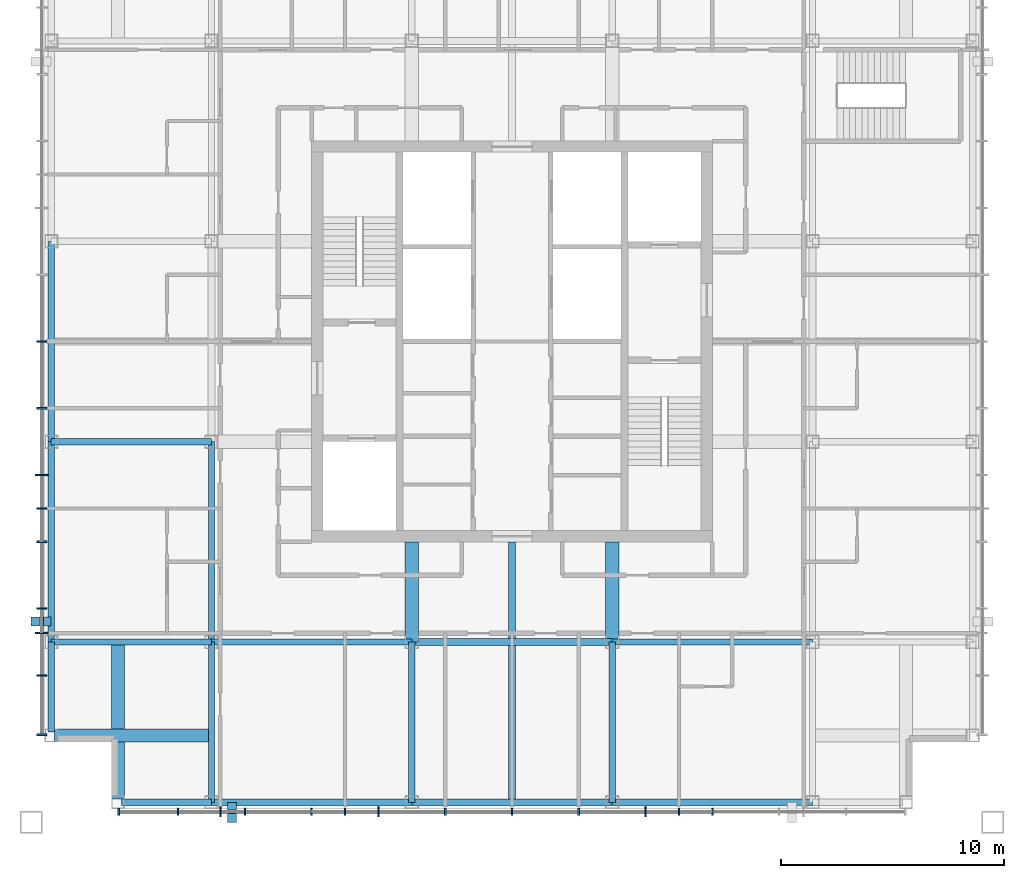
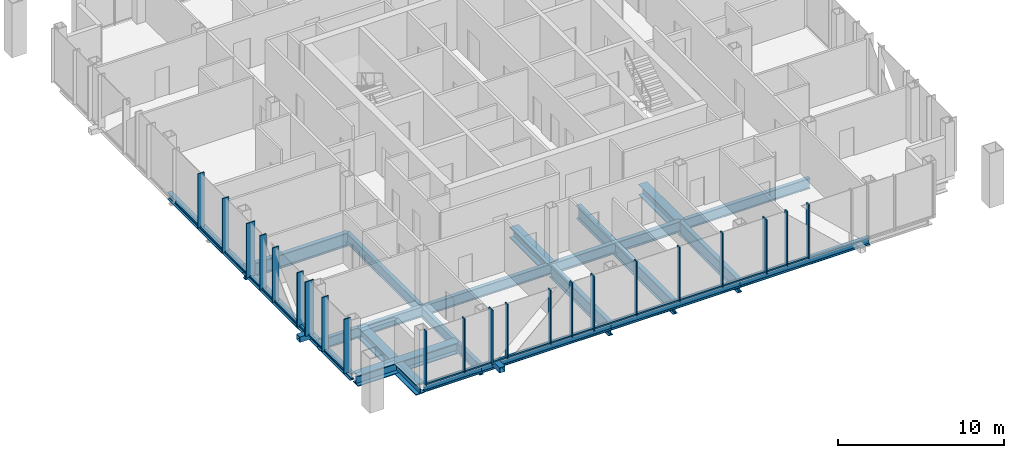
# One storey, part 2 of 14: 45 members, 21 beams, 2 elements without a shape of their own.
"""IFC4 building model written with IfcOpenShell, lengths in metres."""

from ifc_helpers import new_model, si_unit, direction, frame, origin, origin_2d, place, context, subcontext, project, spatial, rectangle, hollow_rectangle, i_section, extrude, material, layer, layer_set, material_profile, profile_set, type_object, element, aggregate, save


model = new_model("IFC4")

# Units and contexts
model_context = context("Model", 3, precision=1e-05, world=origin(), true_north=direction((0.0, 1.0)))
body_context = subcontext(model_context, "Body", "Model", "MODEL_VIEW")
ifc_project = project(units=[si_unit("LENGTHUNIT", "METRE"), si_unit("AREAUNIT", "SQUARE_METRE"), si_unit("VOLUMEUNIT", "CUBIC_METRE"), si_unit("PLANEANGLEUNIT", "RADIAN"), si_unit("MASSUNIT", "GRAM", prefix="KILO")], contexts=[model_context])

# Site, building, storey
site_placement = place(None, origin())
site = spatial("IfcSite", under=ifc_project, at=site_placement, CompositionType="ELEMENT")
building_placement = place(site_placement, origin())
building = spatial("IfcBuilding", under=site, at=building_placement, Name="Malebo Sky Hospital", CompositionType="ELEMENT")
storey_placement = place(building_placement, frame((0.0, 0.0, 258.0)))
storey = spatial("IfcBuildingStorey", under=building, at=storey_placement, Name="L62", CompositionType="ELEMENT", Elevation=258.0)

# Curtain wall, members
ifc_material_1 = material(Name="Anodised aluminium, natural silver", Category="aluminium")
ifc_layer_1 = layer(ifc_material_1, 0.25)
ifc_layer_set_1 = layer_set([ifc_layer_1], Name="WARD CURTAIN WALL EAST AND WEST")
curtain_wall_type_1 = type_object("IfcCurtainWallType", Name="WARD CURTAIN WALL EAST AND WEST", PredefinedType="NOTDEFINED", material=ifc_layer_set_1)
curtain_wall_1_placement = place(storey_placement, origin())
curtain_wall_1 = element("IfcCurtainWall", 1, at=curtain_wall_1_placement, inside=storey, type_object=curtain_wall_type_1, Name="EW curtain wall W", PredefinedType="NOTDEFINED")
ifc_material_profile_1 = material_profile(ifc_material_1, rectangle(XDim=0.14990234375, YDim=0.10009765625, at=origin_2d()), Name="ALUMINIUM TRANSOM 150x100")
ifc_profile_set_1 = profile_set([ifc_material_profile_1], Name="Anodised aluminium, natural silver")
member_type_1 = type_object("IfcMemberType", Name="ALUMINIUM TRANSOM 150x100", PredefinedType="USERDEFINED", material=ifc_profile_set_1)
member_1_placement = place(storey_placement, frame((38.875, 44.375, 0.050048828125), z_axis=(0.0, 1.0, 0.0), x_axis=(-1.0, 0.0, 0.0)))
member_1 = element("IfcMember", 2, at=member_1_placement, type_object=member_type_1, Name="Transom 1", ObjectType="TRANSOM", PredefinedType="USERDEFINED", context=body_context, shape_type="SweptSolid", body=[
    extrude(rectangle(XDim=0.14990234375, YDim=0.10009765625, at=origin_2d()), origin(), (0.0, 0.0, 1.0), 2.58740234375),
])
member_2_placement = place(storey_placement, frame((38.875, 47.03759765625, 0.050048828125), z_axis=(0.0, 1.0, 0.0), x_axis=(-1.0, 0.0, 0.0)))
member_2 = element("IfcMember", 3, at=member_2_placement, type_object=member_type_1, Name="Transom 2", ObjectType="TRANSOM", PredefinedType="USERDEFINED", context=body_context, shape_type="SweptSolid", body=[
    extrude(rectangle(XDim=0.14990234375, YDim=0.10009765625, at=origin_2d()), origin(), (0.0, 0.0, 1.0), 1.824951171875),
])
member_3_placement = place(storey_placement, frame((38.875, 48.9375, 0.050048828125), z_axis=(0.0, 1.0, 0.0), x_axis=(-1.0, 0.0, 0.0)))
member_3 = element("IfcMember", 4, at=member_3_placement, type_object=member_type_1, Name="Transom 3", ObjectType="TRANSOM", PredefinedType="USERDEFINED", context=body_context, shape_type="SweptSolid", body=[
    extrude(rectangle(XDim=0.14990234375, YDim=0.10009765625, at=origin_2d()), origin(), (0.0, 0.0, 1.0), 1.02490234375),
])
member_4_placement = place(storey_placement, frame((38.875, 50.03759765625, 0.050048828125), z_axis=(0.0, 1.0, 0.0), x_axis=(-1.0, 0.0, 0.0)))
member_4 = element("IfcMember", 5, at=member_4_placement, type_object=member_type_1, Name="Transom 4", ObjectType="TRANSOM", PredefinedType="USERDEFINED", context=body_context, shape_type="SweptSolid", body=[
    extrude(rectangle(XDim=0.14990234375, YDim=0.10009765625, at=origin_2d()), origin(), (0.0, 0.0, 1.0), 2.9248046875),
])
member_5_placement = place(storey_placement, frame((38.875, 53.03759765625, 0.050048828125), z_axis=(0.0, 1.0, 0.0), x_axis=(-1.0, 0.0, 0.0)))
member_5 = element("IfcMember", 6, at=member_5_placement, type_object=member_type_1, Name="Transom 5", ObjectType="TRANSOM", PredefinedType="USERDEFINED", context=body_context, shape_type="SweptSolid", body=[
    extrude(rectangle(XDim=0.14990234375, YDim=0.10009765625, at=origin_2d()), origin(), (0.0, 0.0, 1.0), 1.4248046875),
])
member_6_placement = place(storey_placement, frame((38.875, 54.53759765625, 0.050048828125), z_axis=(0.0, 1.0, 0.0), x_axis=(-1.0, 0.0, 0.0)))
member_6 = element("IfcMember", 7, at=member_6_placement, type_object=member_type_1, Name="Transom 6", ObjectType="TRANSOM", PredefinedType="USERDEFINED", context=body_context, shape_type="SweptSolid", body=[
    extrude(rectangle(XDim=0.14990234375, YDim=0.10009765625, at=origin_2d()), origin(), (0.0, 0.0, 1.0), 1.4248046875),
])
member_7_placement = place(storey_placement, frame((38.875, 56.03759765625, 0.050048828125), z_axis=(0.0, 1.0, 0.0), x_axis=(-1.0, 0.0, 0.0)))
member_7 = element("IfcMember", 8, at=member_7_placement, type_object=member_type_1, Name="Transom 7", ObjectType="TRANSOM", PredefinedType="USERDEFINED", context=body_context, shape_type="SweptSolid", body=[
    extrude(rectangle(XDim=0.14990234375, YDim=0.10009765625, at=origin_2d()), origin(), (0.0, 0.0, 1.0), 2.9248046875),
])
member_8_placement = place(storey_placement, frame((38.875, 59.03759765625, 0.050048828125), z_axis=(0.0, 1.0, 0.0), x_axis=(-1.0, 0.0, 0.0)))
member_8 = element("IfcMember", 9, at=member_8_placement, type_object=member_type_1, Name="Transom 8", ObjectType="TRANSOM", PredefinedType="USERDEFINED", context=body_context, shape_type="SweptSolid", body=[
    extrude(rectangle(XDim=0.14990234375, YDim=0.10009765625, at=origin_2d()), origin(), (0.0, 0.0, 1.0), 2.9248046875),
])
member_9_placement = place(storey_placement, frame((38.875, 62.03759765625, 0.050048828125), z_axis=(0.0, 1.0, 0.0), x_axis=(-1.0, 0.0, 0.0)))
member_9 = element("IfcMember", 10, at=member_9_placement, type_object=member_type_1, Name="Transom 9", ObjectType="TRANSOM", PredefinedType="USERDEFINED", context=body_context, shape_type="SweptSolid", body=[
    extrude(rectangle(XDim=0.14990234375, YDim=0.10009765625, at=origin_2d()), origin(), (0.0, 0.0, 1.0), 2.9248046875),
])

ifc_layer_2 = layer(ifc_material_1, 0.25)
ifc_layer_set_2 = layer_set([ifc_layer_2], Name="WARD CURTAIN WALL NORTH AND SOUTH")
curtain_wall_type_2 = type_object("IfcCurtainWallType", Name="WARD CURTAIN WALL NORTH AND SOUTH", PredefinedType="NOTDEFINED", material=ifc_layer_set_2)
curtain_wall_2_placement = place(storey_placement, origin())
curtain_wall_2 = element("IfcCurtainWall", 11, at=curtain_wall_2_placement, inside=storey, type_object=curtain_wall_type_2, Name="NS curtain wall S", PredefinedType="NOTDEFINED")
member_10_placement = place(storey_placement, frame((68.96240234375, 40.875, 0.050048828125), z_axis=(-1.0, 0.0, 0.0), x_axis=(0.0, -1.0, 0.0)))
member_10 = element("IfcMember", 12, at=member_10_placement, type_object=member_type_1, Name="Transom 5", ObjectType="TRANSOM", PredefinedType="USERDEFINED", context=body_context, shape_type="SweptSolid", body=[
    extrude(rectangle(XDim=0.14990234375, YDim=0.10009765625, at=origin_2d()), origin(), (0.0, 0.0, 1.0), 1.4248046875),
])
member_11_placement = place(storey_placement, frame((67.46240234375, 40.875, 0.050048828125), z_axis=(-1.0, 0.0, 0.0), x_axis=(0.0, -1.0, 0.0)))
member_11 = element("IfcMember", 13, at=member_11_placement, type_object=member_type_1, Name="Transom 6", ObjectType="TRANSOM", PredefinedType="USERDEFINED", context=body_context, shape_type="SweptSolid", body=[
    extrude(rectangle(XDim=0.14990234375, YDim=0.10009765625, at=origin_2d()), origin(), (0.0, 0.0, 1.0), 1.4248046875),
])
member_12_placement = place(storey_placement, frame((65.96240234375, 40.875, 0.050048828125), z_axis=(-1.0, 0.0, 0.0), x_axis=(0.0, -1.0, 0.0)))
member_12 = element("IfcMember", 14, at=member_12_placement, type_object=member_type_1, Name="Transom 7", ObjectType="TRANSOM", PredefinedType="USERDEFINED", context=body_context, shape_type="SweptSolid", body=[
    extrude(rectangle(XDim=0.14990234375, YDim=0.10009765625, at=origin_2d()), origin(), (0.0, 0.0, 1.0), 2.9248046875),
])
member_13_placement = place(storey_placement, frame((62.96240234375, 40.875, 0.050048828125), z_axis=(-1.0, 0.0, 0.0), x_axis=(0.0, -1.0, 0.0)))
member_13 = element("IfcMember", 15, at=member_13_placement, type_object=member_type_1, Name="Transom 8", ObjectType="TRANSOM", PredefinedType="USERDEFINED", context=body_context, shape_type="SweptSolid", body=[
    extrude(rectangle(XDim=0.14990234375, YDim=0.10009765625, at=origin_2d()), origin(), (0.0, 0.0, 1.0), 2.9248046875),
])
member_14_placement = place(storey_placement, frame((59.96240234375, 40.875, 0.050048828125), z_axis=(-1.0, 0.0, 0.0), x_axis=(0.0, -1.0, 0.0)))
member_14 = element("IfcMember", 16, at=member_14_placement, type_object=member_type_1, Name="Transom 9", ObjectType="TRANSOM", PredefinedType="USERDEFINED", context=body_context, shape_type="SweptSolid", body=[
    extrude(rectangle(XDim=0.14990234375, YDim=0.10009765625, at=origin_2d()), origin(), (0.0, 0.0, 1.0), 2.9248046875),
])
member_15_placement = place(storey_placement, frame((56.96240234375, 40.875, 0.050048828125), z_axis=(-1.0, 0.0, 0.0), x_axis=(0.0, -1.0, 0.0)))
member_15 = element("IfcMember", 17, at=member_15_placement, type_object=member_type_1, Name="Transom 10", ObjectType="TRANSOM", PredefinedType="USERDEFINED", context=body_context, shape_type="SweptSolid", body=[
    extrude(rectangle(XDim=0.14990234375, YDim=0.10009765625, at=origin_2d()), origin(), (0.0, 0.0, 1.0), 2.9248046875),
])
member_16_placement = place(storey_placement, frame((53.96240234375, 40.875, 0.050048828125), z_axis=(-1.0, 0.0, 0.0), x_axis=(0.0, -1.0, 0.0)))
member_16 = element("IfcMember", 18, at=member_16_placement, type_object=member_type_1, Name="Transom 11", ObjectType="TRANSOM", PredefinedType="USERDEFINED", context=body_context, shape_type="SweptSolid", body=[
    extrude(rectangle(XDim=0.14990234375, YDim=0.10009765625, at=origin_2d()), origin(), (0.0, 0.0, 1.0), 1.4248046875),
])
member_17_placement = place(storey_placement, frame((52.46240234375, 40.875, 0.050048828125), z_axis=(-1.0, 0.0, 0.0), x_axis=(0.0, -1.0, 0.0)))
member_17 = element("IfcMember", 19, at=member_17_placement, type_object=member_type_1, Name="Transom 12", ObjectType="TRANSOM", PredefinedType="USERDEFINED", context=body_context, shape_type="SweptSolid", body=[
    extrude(rectangle(XDim=0.14990234375, YDim=0.10009765625, at=origin_2d()), origin(), (0.0, 0.0, 1.0), 1.4248046875),
])
member_18_placement = place(storey_placement, frame((50.96240234375, 40.875, 0.050048828125), z_axis=(-1.0, 0.0, 0.0), x_axis=(0.0, -1.0, 0.0)))
member_18 = element("IfcMember", 20, at=member_18_placement, type_object=member_type_1, Name="Transom 13", ObjectType="TRANSOM", PredefinedType="USERDEFINED", context=body_context, shape_type="SweptSolid", body=[
    extrude(rectangle(XDim=0.14990234375, YDim=0.10009765625, at=origin_2d()), origin(), (0.0, 0.0, 1.0), 2.9248046875),
])
member_19_placement = place(storey_placement, frame((47.96240234375, 40.875, 0.050048828125), z_axis=(-1.0, 0.0, 0.0), x_axis=(0.0, -1.0, 0.0)))
member_19 = element("IfcMember", 21, at=member_19_placement, type_object=member_type_1, Name="Transom 14", ObjectType="TRANSOM", PredefinedType="USERDEFINED", context=body_context, shape_type="SweptSolid", body=[
    extrude(rectangle(XDim=0.14990234375, YDim=0.10009765625, at=origin_2d()), origin(), (0.0, 0.0, 1.0), 1.02490234375),
])
member_20_placement = place(storey_placement, frame((46.862548828125, 40.875, 0.050048828125), z_axis=(-1.0, 0.0, 0.0), x_axis=(0.0, -1.0, 0.0)))
member_20 = element("IfcMember", 22, at=member_20_placement, type_object=member_type_1, Name="Transom 15", ObjectType="TRANSOM", PredefinedType="USERDEFINED", context=body_context, shape_type="SweptSolid", body=[
    extrude(rectangle(XDim=0.14990234375, YDim=0.10009765625, at=origin_2d()), origin(), (0.0, 0.0, 1.0), 1.824951171875),
])
member_21_placement = place(storey_placement, frame((44.96240234375, 40.875, 0.050048828125), z_axis=(-1.0, 0.0, 0.0), x_axis=(0.0, -1.0, 0.0)))
member_21 = element("IfcMember", 23, at=member_21_placement, type_object=member_type_1, Name="Transom 16", ObjectType="TRANSOM", PredefinedType="USERDEFINED", context=body_context, shape_type="SweptSolid", body=[
    extrude(rectangle(XDim=0.14990234375, YDim=0.10009765625, at=origin_2d()), origin(), (0.0, 0.0, 1.0), 2.58740234375),
])

# Members
ifc_material_2 = material(Name="Steel S355", Category="steel")
ifc_material_profile_2 = material_profile(ifc_material_2, hollow_rectangle(XDim=0.39990234375, YDim=0.39990234375, WallThickness=0.02001953125, at=origin_2d()), Name="SHS 400x20")
ifc_profile_set_2 = profile_set([ifc_material_profile_2], Name="Steel S355")
member_type_2 = type_object("IfcMemberType", Name="BRACE STRUT SHS 400x20", PredefinedType="STRUT", material=ifc_profile_set_2)
for number, where, z_axis, x_axis, name in (
    (24, (47.424560546875, 40.39990234375, -0.39990234375), (0.0, 1.0, 0.0), (-1.0, 0.0, 0.0), "Brace strut DS1 L62"),
    (25, (38.39990234375, 49.424560546875, -0.39990234375), (1.0, 0.0, 0.0), (0.0, 1.0, 0.0), "Brace strut DW2 L62"),
):
    element("IfcMember", number, at=place(storey_placement, frame(where, z_axis=z_axis, x_axis=x_axis)), inside=storey, type_object=member_type_2, Name=name, PredefinedType="STRUT", context=body_context, shape_type="SweptSolid", body=[
        extrude(hollow_rectangle(XDim=0.39990234375, YDim=0.39990234375, WallThickness=0.02001953125, at=origin_2d()), origin(), (0.0, 0.0, 1.0), 0.900146484375),
    ])

# Member
ifc_material_profile_3 = material_profile(ifc_material_1, rectangle(XDim=0.074951171875, YDim=0.300048828125, at=origin_2d()), Name="CW1 ALUMINIUM FIN MULLION 75x300")
ifc_profile_set_3 = profile_set([ifc_material_profile_3], Name="Anodised aluminium, natural silver")
member_type_3 = type_object("IfcMemberType", Name="CW1 ALUMINIUM FIN MULLION 75x300", PredefinedType="MULLION", material=ifc_profile_set_3)
member_22_placement = place(storey_placement, frame((69.0, 40.875, 0.0), z_axis=(0.0, 0.0, 1.0), x_axis=(-1.0, 0.0, 0.0)))
member_22 = element("IfcMember", 26, at=member_22_placement, type_object=member_type_3, Name="Fin mullion 5", PredefinedType="MULLION", context=body_context, shape_type="SweptSolid", body=[
    extrude(rectangle(XDim=0.074951171875, YDim=0.300048828125, at=origin_2d()), origin(), (0.0, 0.0, 1.0), 4.0),
])

member_23_placement = place(storey_placement, frame((67.5, 40.875, 0.0), z_axis=(0.0, 0.0, 1.0), x_axis=(-1.0, 0.0, 0.0)))
member_23 = element("IfcMember", 27, at=member_23_placement, type_object=member_type_3, Name="Fin mullion 6", PredefinedType="MULLION", context=body_context, shape_type="SweptSolid", body=[
    extrude(rectangle(XDim=0.074951171875, YDim=0.300048828125, at=origin_2d()), origin(), (0.0, 0.0, 1.0), 4.0),
])

member_24_placement = place(storey_placement, frame((63.0, 40.875, 0.0), z_axis=(0.0, 0.0, 1.0), x_axis=(-1.0, 0.0, 0.0)))
member_24 = element("IfcMember", 28, at=member_24_placement, type_object=member_type_3, Name="Fin mullion 8", PredefinedType="MULLION", context=body_context, shape_type="SweptSolid", body=[
    extrude(rectangle(XDim=0.074951171875, YDim=0.300048828125, at=origin_2d()), origin(), (0.0, 0.0, 1.0), 4.0),
])

member_25_placement = place(storey_placement, frame((60.0, 40.875, 0.0), z_axis=(0.0, 0.0, 1.0), x_axis=(-1.0, 0.0, 0.0)))
member_25 = element("IfcMember", 29, at=member_25_placement, type_object=member_type_3, Name="Fin mullion 9", PredefinedType="MULLION", context=body_context, shape_type="SweptSolid", body=[
    extrude(rectangle(XDim=0.074951171875, YDim=0.300048828125, at=origin_2d()), origin(), (0.0, 0.0, 1.0), 4.0),
])

member_26_placement = place(storey_placement, frame((57.0, 40.875, 0.0), z_axis=(0.0, 0.0, 1.0), x_axis=(-1.0, 0.0, 0.0)))
member_26 = element("IfcMember", 30, at=member_26_placement, type_object=member_type_3, Name="Fin mullion 10", PredefinedType="MULLION", context=body_context, shape_type="SweptSolid", body=[
    extrude(rectangle(XDim=0.074951171875, YDim=0.300048828125, at=origin_2d()), origin(), (0.0, 0.0, 1.0), 4.0),
])

member_27_placement = place(storey_placement, frame((52.5, 40.875, 0.0), z_axis=(0.0, 0.0, 1.0), x_axis=(-1.0, 0.0, 0.0)))
member_27 = element("IfcMember", 31, at=member_27_placement, type_object=member_type_3, Name="Fin mullion 12", PredefinedType="MULLION", context=body_context, shape_type="SweptSolid", body=[
    extrude(rectangle(XDim=0.074951171875, YDim=0.300048828125, at=origin_2d()), origin(), (0.0, 0.0, 1.0), 4.0),
])

member_28_placement = place(storey_placement, frame((51.0, 40.875, 0.0), z_axis=(0.0, 0.0, 1.0), x_axis=(-1.0, 0.0, 0.0)))
member_28 = element("IfcMember", 32, at=member_28_placement, type_object=member_type_3, Name="Fin mullion 13", PredefinedType="MULLION", context=body_context, shape_type="SweptSolid", body=[
    extrude(rectangle(XDim=0.074951171875, YDim=0.300048828125, at=origin_2d()), origin(), (0.0, 0.0, 1.0), 4.0),
])

member_29_placement = place(storey_placement, frame((48.0, 40.875, 0.0), z_axis=(0.0, 0.0, 1.0), x_axis=(-1.0, 0.0, 0.0)))
member_29 = element("IfcMember", 33, at=member_29_placement, type_object=member_type_3, Name="Fin mullion 14", PredefinedType="MULLION", context=body_context, shape_type="SweptSolid", body=[
    extrude(rectangle(XDim=0.074951171875, YDim=0.300048828125, at=origin_2d()), origin(), (0.0, 0.0, 1.0), 4.0),
])

member_30_placement = place(storey_placement, frame((45.0, 40.875, 0.0), z_axis=(0.0, 0.0, 1.0), x_axis=(-1.0, 0.0, 0.0)))
member_30 = element("IfcMember", 34, at=member_30_placement, type_object=member_type_3, Name="Fin mullion 16", PredefinedType="MULLION", context=body_context, shape_type="SweptSolid", body=[
    extrude(rectangle(XDim=0.074951171875, YDim=0.300048828125, at=origin_2d()), origin(), (0.0, 0.0, 1.0), 4.0),
])

member_31_placement = place(storey_placement, frame((42.33740234375, 40.875, 0.0), z_axis=(0.0, 0.0, 1.0), x_axis=(-1.0, 0.0, 0.0)))
member_31 = element("IfcMember", 35, at=member_31_placement, type_object=member_type_3, Name="Fin mullion 17", PredefinedType="MULLION", context=body_context, shape_type="SweptSolid", body=[
    extrude(rectangle(XDim=0.074951171875, YDim=0.300048828125, at=origin_2d()), origin(), (0.0, 0.0, 1.0), 4.0),
])

ifc_material_profile_4 = material_profile(ifc_material_1, rectangle(XDim=0.074951171875, YDim=0.449951171875, at=origin_2d()), Name="CW1 ALUMINIUM FIN MULLION 75x450")
ifc_profile_set_4 = profile_set([ifc_material_profile_4], Name="Anodised aluminium, natural silver")
member_type_4 = type_object("IfcMemberType", Name="CW1 ALUMINIUM FIN MULLION 75x450", PredefinedType="MULLION", material=ifc_profile_set_4)
member_32_placement = place(storey_placement, frame((66.0, 40.875, 0.0), z_axis=(0.0, 0.0, 1.0), x_axis=(-1.0, 0.0, 0.0)))
member_32 = element("IfcMember", 36, at=member_32_placement, type_object=member_type_4, Name="Fin mullion 7", PredefinedType="MULLION", context=body_context, shape_type="SweptSolid", body=[
    extrude(rectangle(XDim=0.074951171875, YDim=0.449951171875, at=origin_2d()), origin(), (0.0, 0.0, 1.0), 4.0),
])

member_33_placement = place(storey_placement, frame((54.0, 40.875, 0.0), z_axis=(0.0, 0.0, 1.0), x_axis=(-1.0, 0.0, 0.0)))
member_33 = element("IfcMember", 37, at=member_33_placement, type_object=member_type_4, Name="Fin mullion 11", PredefinedType="MULLION", context=body_context, shape_type="SweptSolid", body=[
    extrude(rectangle(XDim=0.074951171875, YDim=0.449951171875, at=origin_2d()), origin(), (0.0, 0.0, 1.0), 4.0),
])

member_34_placement = place(storey_placement, frame((46.89990234375, 40.875, 0.0), z_axis=(0.0, 0.0, 1.0), x_axis=(-1.0, 0.0, 0.0)))
member_34 = element("IfcMember", 38, at=member_34_placement, type_object=member_type_4, Name="Fin mullion 15", PredefinedType="MULLION", context=body_context, shape_type="SweptSolid", body=[
    extrude(rectangle(XDim=0.074951171875, YDim=0.449951171875, at=origin_2d()), origin(), (0.0, 0.0, 1.0), 4.0),
])

aggregate(curtain_wall_2, [member_22, member_23, member_32, member_24, member_25, member_26, member_33, member_27, member_28, member_29, member_34, member_30, member_31, member_10, member_11, member_12, member_13, member_14, member_15, member_16, member_17, member_18, member_19, member_20, member_21])

ifc_material_profile_5 = material_profile(ifc_material_1, rectangle(XDim=0.074951171875, YDim=0.449951171875, at=origin_2d()), Name="CW2 ALUMINIUM FIN MULLION 75x450")
ifc_profile_set_5 = profile_set([ifc_material_profile_5], Name="Anodised aluminium, natural silver")
member_type_5 = type_object("IfcMemberType", Name="CW2 ALUMINIUM FIN MULLION 75x450", PredefinedType="MULLION", material=ifc_profile_set_5)
member_35_placement = place(storey_placement, frame((38.875, 44.33740234375, 0.0), z_axis=(0.0, 0.0, 1.0), x_axis=(0.0, 1.0, 0.0)))
member_35 = element("IfcMember", 39, at=member_35_placement, type_object=member_type_5, Name="Fin mullion 1", PredefinedType="MULLION", context=body_context, shape_type="SweptSolid", body=[
    extrude(rectangle(XDim=0.074951171875, YDim=0.449951171875, at=origin_2d()), origin(), (0.0, 0.0, 1.0), 4.0),
])

member_36_placement = place(storey_placement, frame((38.875, 47.0, 0.0), z_axis=(0.0, 0.0, 1.0), x_axis=(0.0, 1.0, 0.0)))
member_36 = element("IfcMember", 40, at=member_36_placement, type_object=member_type_5, Name="Fin mullion 2", PredefinedType="MULLION", context=body_context, shape_type="SweptSolid", body=[
    extrude(rectangle(XDim=0.074951171875, YDim=0.449951171875, at=origin_2d()), origin(), (0.0, 0.0, 1.0), 4.0),
])

member_37_placement = place(storey_placement, frame((38.875, 50.0, 0.0), z_axis=(0.0, 0.0, 1.0), x_axis=(0.0, 1.0, 0.0)))
member_37 = element("IfcMember", 41, at=member_37_placement, type_object=member_type_5, Name="Fin mullion 4", PredefinedType="MULLION", context=body_context, shape_type="SweptSolid", body=[
    extrude(rectangle(XDim=0.074951171875, YDim=0.449951171875, at=origin_2d()), origin(), (0.0, 0.0, 1.0), 4.0),
])

member_38_placement = place(storey_placement, frame((38.875, 53.0, 0.0), z_axis=(0.0, 0.0, 1.0), x_axis=(0.0, 1.0, 0.0)))
member_38 = element("IfcMember", 42, at=member_38_placement, type_object=member_type_5, Name="Fin mullion 5", PredefinedType="MULLION", context=body_context, shape_type="SweptSolid", body=[
    extrude(rectangle(XDim=0.074951171875, YDim=0.449951171875, at=origin_2d()), origin(), (0.0, 0.0, 1.0), 4.0),
])

member_39_placement = place(storey_placement, frame((38.875, 54.5, 0.0), z_axis=(0.0, 0.0, 1.0), x_axis=(0.0, 1.0, 0.0)))
member_39 = element("IfcMember", 43, at=member_39_placement, type_object=member_type_5, Name="Fin mullion 6", PredefinedType="MULLION", context=body_context, shape_type="SweptSolid", body=[
    extrude(rectangle(XDim=0.074951171875, YDim=0.449951171875, at=origin_2d()), origin(), (0.0, 0.0, 1.0), 4.0),
])

member_40_placement = place(storey_placement, frame((38.875, 59.0, 0.0), z_axis=(0.0, 0.0, 1.0), x_axis=(0.0, 1.0, 0.0)))
member_40 = element("IfcMember", 44, at=member_40_placement, type_object=member_type_5, Name="Fin mullion 8", PredefinedType="MULLION", context=body_context, shape_type="SweptSolid", body=[
    extrude(rectangle(XDim=0.074951171875, YDim=0.449951171875, at=origin_2d()), origin(), (0.0, 0.0, 1.0), 4.0),
])

member_41_placement = place(storey_placement, frame((38.875, 62.0, 0.0), z_axis=(0.0, 0.0, 1.0), x_axis=(0.0, 1.0, 0.0)))
member_41 = element("IfcMember", 45, at=member_41_placement, type_object=member_type_5, Name="Fin mullion 9", PredefinedType="MULLION", context=body_context, shape_type="SweptSolid", body=[
    extrude(rectangle(XDim=0.074951171875, YDim=0.449951171875, at=origin_2d()), origin(), (0.0, 0.0, 1.0), 4.0),
])

ifc_material_profile_6 = material_profile(ifc_material_1, rectangle(XDim=0.074951171875, YDim=0.60009765625, at=origin_2d()), Name="CW2 ALUMINIUM FIN MULLION 75x600")
ifc_profile_set_6 = profile_set([ifc_material_profile_6], Name="Anodised aluminium, natural silver")
member_type_6 = type_object("IfcMemberType", Name="CW2 ALUMINIUM FIN MULLION 75x600", PredefinedType="MULLION", material=ifc_profile_set_6)
member_42_placement = place(storey_placement, frame((38.875, 48.89990234375, 0.0), z_axis=(0.0, 0.0, 1.0), x_axis=(0.0, 1.0, 0.0)))
member_42 = element("IfcMember", 46, at=member_42_placement, type_object=member_type_6, Name="Fin mullion 3", PredefinedType="MULLION", context=body_context, shape_type="SweptSolid", body=[
    extrude(rectangle(XDim=0.074951171875, YDim=0.60009765625, at=origin_2d()), origin(), (0.0, 0.0, 1.0), 4.0),
])

member_43_placement = place(storey_placement, frame((38.875, 56.0, 0.0), z_axis=(0.0, 0.0, 1.0), x_axis=(0.0, 1.0, 0.0)))
member_43 = element("IfcMember", 47, at=member_43_placement, type_object=member_type_6, Name="Fin mullion 7", PredefinedType="MULLION", context=body_context, shape_type="SweptSolid", body=[
    extrude(rectangle(XDim=0.074951171875, YDim=0.60009765625, at=origin_2d()), origin(), (0.0, 0.0, 1.0), 4.0),
])

aggregate(curtain_wall_1, [member_35, member_36, member_42, member_37, member_38, member_39, member_43, member_40, member_41, member_1, member_2, member_3, member_4, member_5, member_6, member_7, member_8, member_9])

# Beams
ifc_material_profile_7 = material_profile(ifc_material_2, i_section(OverallWidth=0.305908203125, OverallDepth=0.52392578125, WebThickness=0.02099609375, FlangeThickness=0.0400390625, FilletRadius=0.027099609375, at=origin_2d()), Name="HEM 500")
ifc_profile_set_7 = profile_set([ifc_material_profile_7], Name="Steel S355")
beam_type_1 = type_object("IfcBeamType", Name="EDGE BEAM HEM 500", PredefinedType="BEAM", material=ifc_profile_set_7)
beam_1_placement = place(storey_placement, frame((39.300048828125, 44.449951171875, -0.511962890625), z_axis=(0.0, 1.0, 0.0), x_axis=(-1.0, 0.0, 0.0)))
element("IfcBeam", 48, at=beam_1_placement, inside=storey, type_object=beam_type_1, Name="Beam 000 L62", PredefinedType="BEAM", context=body_context, shape_type="SweptSolid", body=[
    extrude(i_section(OverallWidth=0.305908203125, OverallDepth=0.52392578125, WebThickness=0.02099609375, FlangeThickness=0.0400390625, FilletRadius=0.027099609375, at=origin_2d()), origin(), (0.0, 0.0, 1.0), 4.050048828125),
])
for number, where, z_axis, x_axis, name in (
    (49, (39.300048828125, 48.5, -0.511962890625), (0.0, 1.0, 0.0), (-1.0, 0.0, 0.0), "Beam 001 L62"),
    (50, (39.300048828125, 57.5, -0.511962890625), (0.0, 1.0, 0.0), (-1.0, 0.0, 0.0), "Beam 002 L62"),
):
    element("IfcBeam", number, at=place(storey_placement, frame(where, z_axis=z_axis, x_axis=x_axis)), inside=storey, type_object=beam_type_1, Name=name, PredefinedType="BEAM", context=body_context, shape_type="SweptSolid", body=[
        extrude(i_section(OverallWidth=0.305908203125, OverallDepth=0.52392578125, WebThickness=0.02099609375, FlangeThickness=0.0400390625, FilletRadius=0.027099609375, at=origin_2d()), origin(), (0.0, 0.0, 1.0), 9.0),
    ])
beam_2_placement = place(storey_placement, frame((42.449951171875, 41.300048828125, -0.511962890625), z_axis=(1.0, 0.0, 0.0), x_axis=(0.0, 1.0, 0.0)))
element("IfcBeam", 51, at=beam_2_placement, inside=storey, type_object=beam_type_1, Name="Beam 034 L62", PredefinedType="BEAM", context=body_context, shape_type="SweptSolid", body=[
    extrude(i_section(OverallWidth=0.305908203125, OverallDepth=0.52392578125, WebThickness=0.02099609375, FlangeThickness=0.0400390625, FilletRadius=0.027099609375, at=origin_2d()), origin(), (0.0, 0.0, 1.0), 4.050048828125),
])
for number, where, z_axis, x_axis, name in (
    (52, (46.5, 41.300048828125, -0.511962890625), (1.0, 0.0, 0.0), (0.0, 1.0, 0.0), "Beam 035 L62"),
    (53, (55.5, 41.300048828125, -0.511962890625), (1.0, 0.0, 0.0), (0.0, 1.0, 0.0), "Beam 036 L62"),
    (54, (64.5, 41.300048828125, -0.511962890625), (1.0, 0.0, 0.0), (0.0, 1.0, 0.0), "Beam 037 L62"),
):
    element("IfcBeam", number, at=place(storey_placement, frame(where, z_axis=z_axis, x_axis=x_axis)), inside=storey, type_object=beam_type_1, Name=name, PredefinedType="BEAM", context=body_context, shape_type="SweptSolid", body=[
        extrude(i_section(OverallWidth=0.305908203125, OverallDepth=0.52392578125, WebThickness=0.02099609375, FlangeThickness=0.0400390625, FilletRadius=0.027099609375, at=origin_2d()), origin(), (0.0, 0.0, 1.0), 9.0),
    ])
ifc_material_profile_8 = material_profile(ifc_material_2, i_section(OverallWidth=0.300048828125, OverallDepth=1.0, WebThickness=0.01904296875, FlangeThickness=0.035888671875, FilletRadius=0.030029296875, at=origin_2d()), Name="HEB 1000")
ifc_profile_set_8 = profile_set([ifc_material_profile_8], Name="Steel S355")
beam_type_2 = type_object("IfcBeamType", Name="FLOOR BEAM HEB 1000", PredefinedType="BEAM", material=ifc_profile_set_8)
beam_3_placement = place(storey_placement, frame((55.5, 41.300048828125, -0.75), z_axis=(0.0, 1.0, 0.0), x_axis=(-1.0, 0.0, 0.0)))
element("IfcBeam", 55, at=beam_3_placement, inside=storey, type_object=beam_type_2, Name="Beam 012 L62", PredefinedType="BEAM", context=body_context, shape_type="SweptSolid", body=[
    extrude(i_section(OverallWidth=0.300048828125, OverallDepth=1.0, WebThickness=0.01904296875, FlangeThickness=0.035888671875, FilletRadius=0.030029296875, at=origin_2d()), origin(), (0.0, 0.0, 1.0), 7.199951171875),
])
beam_4_placement = place(storey_placement, frame((60.0, 41.300048828125, -0.75), z_axis=(0.0, 1.0, 0.0), x_axis=(-1.0, 0.0, 0.0)))
element("IfcBeam", 56, at=beam_4_placement, inside=storey, type_object=beam_type_2, Name="Beam 016 L62", PredefinedType="BEAM", context=body_context, shape_type="SweptSolid", body=[
    extrude(i_section(OverallWidth=0.300048828125, OverallDepth=1.0, WebThickness=0.01904296875, FlangeThickness=0.035888671875, FilletRadius=0.030029296875, at=origin_2d()), origin(), (0.0, 0.0, 1.0), 11.699951171875),
])
for number, where, z_axis, x_axis, name in (
    (57, (64.5, 41.300048828125, -0.75), (0.0, 1.0, 0.0), (-1.0, 0.0, 0.0), "Beam 018 L62"),
    (58, (39.300048828125, 57.5, -0.75), (1.0, 0.0, 0.0), (0.0, 1.0, 0.0), "Beam 046 L62"),
):
    element("IfcBeam", number, at=place(storey_placement, frame(where, z_axis=z_axis, x_axis=x_axis)), inside=storey, type_object=beam_type_2, Name=name, PredefinedType="BEAM", context=body_context, shape_type="SweptSolid", body=[
        extrude(i_section(OverallWidth=0.300048828125, OverallDepth=1.0, WebThickness=0.01904296875, FlangeThickness=0.035888671875, FilletRadius=0.030029296875, at=origin_2d()), origin(), (0.0, 0.0, 1.0), 7.199951171875),
    ])
ifc_material_profile_9 = material_profile(ifc_material_2, i_section(OverallWidth=0.26708984375, OverallDepth=0.761962890625, WebThickness=0.014404296875, FlangeThickness=0.021484375, FilletRadius=0.01708984375, at=origin_2d()), Name="IPE 750x173")
ifc_profile_set_9 = profile_set([ifc_material_profile_9], Name="Steel S355")
beam_type_3 = type_object("IfcBeamType", Name="FLOOR BEAM IPE 750x173", PredefinedType="BEAM", material=ifc_profile_set_9)
for number, where, z_axis, x_axis, name in (
    (59, (46.5, 48.5, -0.631103515625), (0.0, 1.0, 0.0), (-1.0, 0.0, 0.0), "Beam 008 L62"),
    (60, (46.5, 48.5, -0.631103515625), (1.0, 0.0, 0.0), (0.0, 1.0, 0.0), "Beam 042 L62"),
    (61, (64.5, 48.5, -0.631103515625), (1.0, 0.0, 0.0), (0.0, 1.0, 0.0), "Beam 044 L62"),
):
    element("IfcBeam", number, at=place(storey_placement, frame(where, z_axis=z_axis, x_axis=x_axis)), inside=storey, type_object=beam_type_3, Name=name, PredefinedType="BEAM", context=body_context, shape_type="SweptSolid", body=[
        extrude(i_section(OverallWidth=0.26708984375, OverallDepth=0.761962890625, WebThickness=0.014404296875, FlangeThickness=0.021484375, FilletRadius=0.01708984375, at=origin_2d()), origin(), (0.0, 0.0, 1.0), 9.0),
    ])
ifc_material_profile_10 = material_profile(ifc_material_2, i_section(OverallWidth=0.60009765625, OverallDepth=0.800048828125, WebThickness=0.0400390625, FlangeThickness=0.06005859375, at=origin_2d()), Name="PG 800x600x40x60")
ifc_profile_set_10 = profile_set([ifc_material_profile_10], Name="Steel S355")
beam_type_4 = type_object("IfcBeamType", Name="FLOOR BEAM PG 800x600x40x60", PredefinedType="BEAM", material=ifc_profile_set_10)
beam_5_placement = place(storey_placement, frame((42.300048828125, 41.449951171875, -0.64990234375), z_axis=(0.0, 1.0, 0.0), x_axis=(-1.0, 0.0, 0.0)))
element("IfcBeam", 62, at=beam_5_placement, inside=storey, type_object=beam_type_4, Name="Beam 005 L62", PredefinedType="BEAM", context=body_context, shape_type="SweptSolid", body=[
    extrude(i_section(OverallWidth=0.60009765625, OverallDepth=0.800048828125, WebThickness=0.0400390625, FlangeThickness=0.06005859375, at=origin_2d()), origin(), (0.0, 0.0, 1.0), 7.050048828125),
])
for number, where, z_axis, x_axis, name in (
    (63, (55.5, 48.5, -0.64990234375), (0.0, 1.0, 0.0), (-1.0, 0.0, 0.0), "Beam 013 L62"),
    (64, (64.5, 48.5, -0.64990234375), (0.0, 1.0, 0.0), (-1.0, 0.0, 0.0), "Beam 019 L62"),
):
    element("IfcBeam", number, at=place(storey_placement, frame(where, z_axis=z_axis, x_axis=x_axis)), inside=storey, type_object=beam_type_4, Name=name, PredefinedType="BEAM", context=body_context, shape_type="SweptSolid", body=[
        extrude(i_section(OverallWidth=0.60009765625, OverallDepth=0.800048828125, WebThickness=0.0400390625, FlangeThickness=0.06005859375, at=origin_2d()), origin(), (0.0, 0.0, 1.0), 4.5),
    ])
beam_6_placement = place(storey_placement, frame((39.449951171875, 44.300048828125, -0.64990234375), z_axis=(1.0, 0.0, 0.0), x_axis=(0.0, 1.0, 0.0)))
element("IfcBeam", 65, at=beam_6_placement, inside=storey, type_object=beam_type_4, Name="Beam 039 L62", PredefinedType="BEAM", context=body_context, shape_type="SweptSolid", body=[
    extrude(i_section(OverallWidth=0.60009765625, OverallDepth=0.800048828125, WebThickness=0.0400390625, FlangeThickness=0.06005859375, at=origin_2d()), origin(), (0.0, 0.0, 1.0), 7.050048828125),
])
ifc_material_profile_11 = material_profile(ifc_material_2, i_section(OverallWidth=0.262939453125, OverallDepth=0.7529296875, WebThickness=0.011474609375, FlangeThickness=0.01708984375, FilletRadius=0.01708984375, at=origin_2d()), Name="IPE 750x137")
ifc_profile_set_11 = profile_set([ifc_material_profile_11], Name="Steel S355")
beam_type_5 = type_object("IfcBeamType", Name="FLOOR GIRDER IPE 750x137", PredefinedType="BEAM", material=ifc_profile_set_11)
for number, where, z_axis, x_axis, name in (
    (66, (46.5, 41.300048828125, -0.62646484375), (0.0, 1.0, 0.0), (-1.0, 0.0, 0.0), "Beam 007 L62"),
    (67, (39.300048828125, 48.5, -0.62646484375), (1.0, 0.0, 0.0), (0.0, 1.0, 0.0), "Beam 041 L62"),
):
    element("IfcBeam", number, at=place(storey_placement, frame(where, z_axis=z_axis, x_axis=x_axis)), inside=storey, type_object=beam_type_5, Name=name, PredefinedType="BEAM", context=body_context, shape_type="SweptSolid", body=[
        extrude(i_section(OverallWidth=0.262939453125, OverallDepth=0.7529296875, WebThickness=0.011474609375, FlangeThickness=0.01708984375, FilletRadius=0.01708984375, at=origin_2d()), origin(), (0.0, 0.0, 1.0), 7.199951171875),
    ])
ifc_material_profile_12 = material_profile(ifc_material_2, i_section(OverallWidth=0.300048828125, OverallDepth=0.800048828125, WebThickness=0.017578125, FlangeThickness=0.032958984375, FilletRadius=0.030029296875, at=origin_2d()), Name="HEB 800")
ifc_profile_set_12 = profile_set([ifc_material_profile_12], Name="Steel S355")
beam_type_6 = type_object("IfcBeamType", Name="RING GIRDER HEB 800", PredefinedType="BEAM", material=ifc_profile_set_12)
beam_7_placement = place(storey_placement, frame((55.5, 48.5, -0.64990234375), z_axis=(1.0, 0.0, 0.0), x_axis=(0.0, 1.0, 0.0)))
element("IfcBeam", 68, at=beam_7_placement, inside=storey, type_object=beam_type_6, Name="Beam 043 L62", PredefinedType="BEAM", context=body_context, shape_type="SweptSolid", body=[
    extrude(i_section(OverallWidth=0.300048828125, OverallDepth=0.800048828125, WebThickness=0.017578125, FlangeThickness=0.032958984375, FilletRadius=0.030029296875, at=origin_2d()), origin(), (0.0, 0.0, 1.0), 9.0),
])

save(model, "model.ifc")
